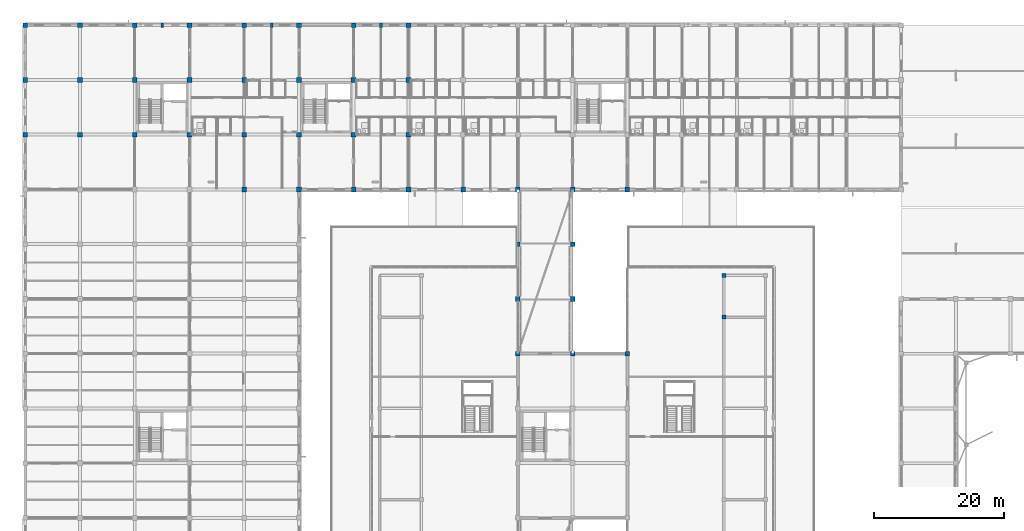
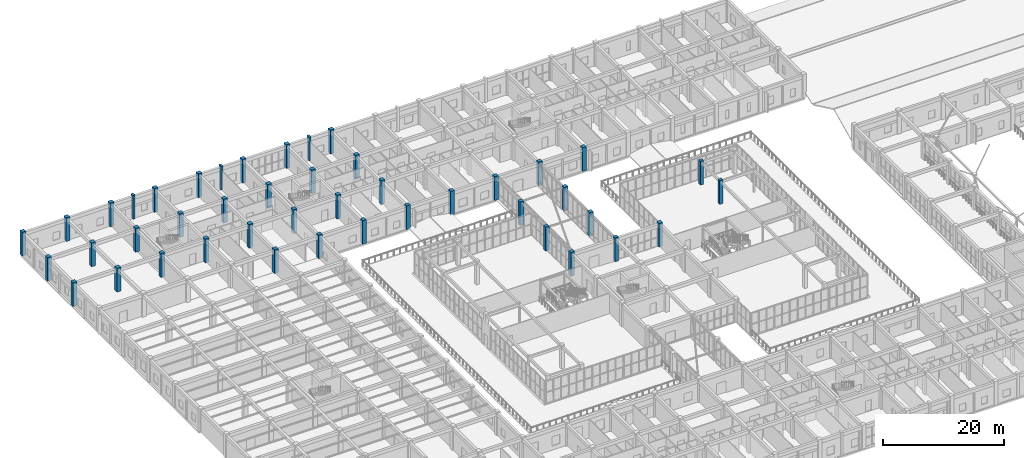
# One storey, part 9 of 158: 44 columns.
"""IFC4 building model written with IfcOpenShell, lengths in metres."""

from ifc_helpers import new_model, si_unit, direction, frame, origin, origin_2d, place, context, subcontext, project, spatial, rectangle, extrude, material, material_profile, profile_set, type_object, element, save


model = new_model("IFC4")

# Units and contexts
model_context = context("Model", 3, precision=1e-05, world=origin(), true_north=direction((0.0, 1.0)))
body_context = subcontext(model_context, "Body", "Model", "MODEL_VIEW")
ifc_project = project(units=[si_unit("LENGTHUNIT", "METRE"), si_unit("AREAUNIT", "SQUARE_METRE"), si_unit("VOLUMEUNIT", "CUBIC_METRE"), si_unit("PLANEANGLEUNIT", "RADIAN"), si_unit("MASSUNIT", "GRAM", prefix="KILO")], contexts=[model_context])

# Site, building, storey
site_placement = place(None, origin())
site = spatial("IfcSite", under=ifc_project, at=site_placement, CompositionType="ELEMENT")
building_placement = place(site_placement, origin())
building = spatial("IfcBuilding", under=site, at=building_placement, Name="Trelvath General Hospital", CompositionType="ELEMENT")
storey_placement = place(building_placement, frame((0.0, 0.0, 8.10009765625)))
storey = spatial("IfcBuildingStorey", under=building, at=storey_placement, Name="L02", CompositionType="ELEMENT", Elevation=8.10009765625)

# Columns
ifc_material_1 = material(Name="Concrete C40/50", Category="concrete")
ifc_material_profile_1 = material_profile(ifc_material_1, rectangle(XDim=0.60009765625, YDim=0.60009765625, at=origin_2d()), Name="RC600x600")
ifc_profile_set_1 = profile_set([ifc_material_profile_1], Name="Concrete C40/50")
column_type_1 = type_object("IfcColumnType", Name="Column RC600", PredefinedType="COLUMN", material=ifc_profile_set_1)
for number, where, z_axis, x_axis, name in (
    (1, (107.199951171875, 72.800048828125, 0.0), (0.0, 0.0, 1.0), (1.0, 0.0, 0.0), "Cube Interior Column CC-E04 L02"),
    (2, (107.199951171875, 79.199951171875, 0.0), (0.0, 0.0, 1.0), (1.0, 0.0, 0.0), "Cube Interior Column CC-E05 L02"),
):
    element("IfcColumn", number, at=place(storey_placement, frame(where, z_axis=z_axis, x_axis=x_axis)), inside=storey, type_object=column_type_1, Name=name, PredefinedType="COLUMN", context=body_context, shape_type="SweptSolid", body=[
        extrude(rectangle(XDim=0.60009765625, YDim=0.60009765625, at=origin_2d()), origin(), (0.0, 0.0, 1.0), 4.7998046875),
    ])
ifc_material_2 = material(Name="Concrete C40/50", Category="concrete")
ifc_material_profile_2 = material_profile(ifc_material_2, rectangle(XDim=0.719970703125, YDim=0.719970703125, at=origin_2d()), Name="RC720x720")
ifc_profile_set_2 = profile_set([ifc_material_profile_2], Name="Concrete C40/50")
column_type_2 = type_object("IfcColumnType", Name="Column RC720", PredefinedType="COLUMN", material=ifc_profile_set_2)
for number, where, z_axis, x_axis, name in (
    (3, (0.0, 100.800048828125, 0.0), (0.0, 0.0, 1.0), (1.0, 0.0, 0.0), "Column C-1M L02"),
    (4, (0.0, 109.199951171875, 0.0), (0.0, 0.0, 1.0), (1.0, 0.0, 0.0), "Column C-1N L02"),
    (5, (0.0, 117.60009765625, 0.0), (0.0, 0.0, 1.0), (1.0, 0.0, 0.0), "Column C-1O L02"),
    (6, (8.39990234375, 117.60009765625, 0.0), (0.0, 0.0, 1.0), (1.0, 0.0, 0.0), "Column C-2O L02"),
    (7, (16.800048828125, 117.60009765625, 0.0), (0.0, 0.0, 1.0), (1.0, 0.0, 0.0), "Column C-3O L02"),
    (8, (25.199951171875, 117.60009765625, 0.0), (0.0, 0.0, 1.0), (1.0, 0.0, 0.0), "Column C-4O L02"),
    (9, (33.60009765625, 117.60009765625, 0.0), (0.0, 0.0, 1.0), (1.0, 0.0, 0.0), "Column C-5O L02"),
    (10, (42.0, 92.39990234375, 0.0), (0.0, 0.0, 1.0), (1.0, 0.0, 0.0), "Column C-6L L02"),
    (11, (42.0, 117.60009765625, 0.0), (0.0, 0.0, 1.0), (1.0, 0.0, 0.0), "Column C-6O L02"),
    (12, (50.39990234375, 92.39990234375, 0.0), (0.0, 0.0, 1.0), (1.0, 0.0, 0.0), "Column C-7L L02"),
    (13, (50.39990234375, 117.60009765625, 0.0), (0.0, 0.0, 1.0), (1.0, 0.0, 0.0), "Column C-7O L02"),
    (14, (58.800048828125, 92.39990234375, 0.0), (0.0, 0.0, 1.0), (1.0, 0.0, 0.0), "Column C-8L L02"),
    (15, (58.800048828125, 117.60009765625, 0.0), (0.0, 0.0, 1.0), (1.0, 0.0, 0.0), "Column C-8O L02"),
    (16, (67.199951171875, 92.39990234375, 0.0), (0.0, 0.0, 1.0), (1.0, 0.0, 0.0), "Column C-9L L02"),
    (17, (75.60009765625, 67.199951171875, 0.0), (0.0, 0.0, 1.0), (1.0, 0.0, 0.0), "Column C-10I L02"),
    (18, (75.60009765625, 75.60009765625, 0.0), (0.0, 0.0, 1.0), (1.0, 0.0, 0.0), "Column C-10J L02"),
    (19, (75.60009765625, 84.0, 0.0), (0.0, 0.0, 1.0), (1.0, 0.0, 0.0), "Column C-10K L02"),
    (20, (75.60009765625, 92.39990234375, 0.0), (0.0, 0.0, 1.0), (1.0, 0.0, 0.0), "Column C-10L L02"),
    (21, (84.0, 67.199951171875, 0.0), (0.0, 0.0, 1.0), (1.0, 0.0, 0.0), "Column C-11I L02"),
    (22, (84.0, 75.60009765625, 0.0), (0.0, 0.0, 1.0), (1.0, 0.0, 0.0), "Column C-11J L02"),
    (23, (84.0, 84.0, 0.0), (0.0, 0.0, 1.0), (1.0, 0.0, 0.0), "Column C-11K L02"),
    (24, (84.0, 92.39990234375, 0.0), (0.0, 0.0, 1.0), (1.0, 0.0, 0.0), "Column C-11L L02"),
    (25, (92.39990234375, 67.199951171875, 0.0), (0.0, 0.0, 1.0), (1.0, 0.0, 0.0), "Column C-12I L02"),
    (26, (92.39990234375, 92.39990234375, 0.0), (0.0, 0.0, 1.0), (1.0, 0.0, 0.0), "Column C-12L L02"),
):
    element("IfcColumn", number, at=place(storey_placement, frame(where, z_axis=z_axis, x_axis=x_axis)), inside=storey, type_object=column_type_2, Name=name, PredefinedType="COLUMN", context=body_context, shape_type="SweptSolid", body=[
        extrude(rectangle(XDim=0.719970703125, YDim=0.719970703125, at=origin_2d()), origin(), (0.0, 0.0, 1.0), 4.7998046875),
    ])
ifc_material_3 = material(Name="Concrete C40/50", Category="concrete")
ifc_material_profile_3 = material_profile(ifc_material_3, rectangle(XDim=0.75, YDim=0.75, at=origin_2d()), Name="RC750x750")
ifc_profile_set_3 = profile_set([ifc_material_profile_3], Name="Concrete C40/50")
column_type_3 = type_object("IfcColumnType", Name="Column RC750", PredefinedType="COLUMN", material=ifc_profile_set_3)
for number, where, z_axis, x_axis, name in (
    (27, (8.39990234375, 100.800048828125, 0.0), (0.0, 0.0, 1.0), (1.0, 0.0, 0.0), "Column C-2M L02"),
    (28, (8.39990234375, 109.199951171875, 0.0), (0.0, 0.0, 1.0), (1.0, 0.0, 0.0), "Column C-2N L02"),
    (29, (16.800048828125, 100.800048828125, 0.0), (0.0, 0.0, 1.0), (1.0, 0.0, 0.0), "Column C-3M L02"),
    (30, (16.800048828125, 109.199951171875, 0.0), (0.0, 0.0, 1.0), (1.0, 0.0, 0.0), "Column C-3N L02"),
    (31, (25.199951171875, 100.800048828125, 0.0), (0.0, 0.0, 1.0), (1.0, 0.0, 0.0), "Column C-4M L02"),
    (32, (25.199951171875, 109.199951171875, 0.0), (0.0, 0.0, 1.0), (1.0, 0.0, 0.0), "Column C-4N L02"),
    (33, (33.60009765625, 92.39990234375, 0.0), (0.0, 0.0, 1.0), (1.0, 0.0, 0.0), "Column C-5L L02"),
    (34, (33.60009765625, 100.800048828125, 0.0), (0.0, 0.0, 1.0), (1.0, 0.0, 0.0), "Column C-5M L02"),
    (35, (33.60009765625, 109.199951171875, 0.0), (0.0, 0.0, 1.0), (1.0, 0.0, 0.0), "Column C-5N L02"),
    (36, (42.0, 100.800048828125, 0.0), (0.0, 0.0, 1.0), (1.0, 0.0, 0.0), "Column C-6M L02"),
    (37, (42.0, 109.199951171875, 0.0), (0.0, 0.0, 1.0), (1.0, 0.0, 0.0), "Column C-6N L02"),
    (38, (50.39990234375, 100.800048828125, 0.0), (0.0, 0.0, 1.0), (1.0, 0.0, 0.0), "Column C-7M L02"),
    (39, (50.39990234375, 109.199951171875, 0.0), (0.0, 0.0, 1.0), (1.0, 0.0, 0.0), "Column C-7N L02"),
    (40, (58.800048828125, 100.800048828125, 0.0), (0.0, 0.0, 1.0), (1.0, 0.0, 0.0), "Column C-8M L02"),
    (41, (58.800048828125, 109.199951171875, 0.0), (0.0, 0.0, 1.0), (1.0, 0.0, 0.0), "Column C-8N L02"),
):
    element("IfcColumn", number, at=place(storey_placement, frame(where, z_axis=z_axis, x_axis=x_axis)), inside=storey, type_object=column_type_3, Name=name, PredefinedType="COLUMN", context=body_context, shape_type="SweptSolid", body=[
        extrude(rectangle(XDim=0.75, YDim=0.75, at=origin_2d()), origin(), (0.0, 0.0, 1.0), 4.7998046875),
    ])
ifc_material_4 = material(Name="Concrete C40/50", Category="concrete")
ifc_material_profile_4 = material_profile(ifc_material_4, rectangle(XDim=0.39990234375, YDim=0.699951171875, at=origin_2d()), Name="RC400x700")
ifc_profile_set_4 = profile_set([ifc_material_profile_4], Name="Concrete C40/50")
column_type_4 = type_object("IfcColumnType", Name="Pilaster RC400x700", PredefinedType="PILASTER", material=ifc_profile_set_4)
for number, where, z_axis, x_axis, name in (
    (42, (21.0, 117.60009765625, 0.0), (0.0, 0.0, 1.0), (1.0, 0.0, 0.0), "Facade Pilaster PL-N02 L02"),
    (43, (37.800048828125, 117.60009765625, 0.0), (0.0, 0.0, 1.0), (1.0, 0.0, 0.0), "Facade Pilaster PL-N04 L02"),
    (44, (54.60009765625, 117.60009765625, 0.0), (0.0, 0.0, 1.0), (1.0, 0.0, 0.0), "Facade Pilaster PL-N06 L02"),
):
    element("IfcColumn", number, at=place(storey_placement, frame(where, z_axis=z_axis, x_axis=x_axis)), inside=storey, type_object=column_type_4, Name=name, PredefinedType="PILASTER", context=body_context, shape_type="SweptSolid", body=[
        extrude(rectangle(XDim=0.39990234375, YDim=0.699951171875, at=origin_2d()), origin(), (0.0, 0.0, 1.0), 4.7998046875),
    ])

save(model, "model.ifc")
